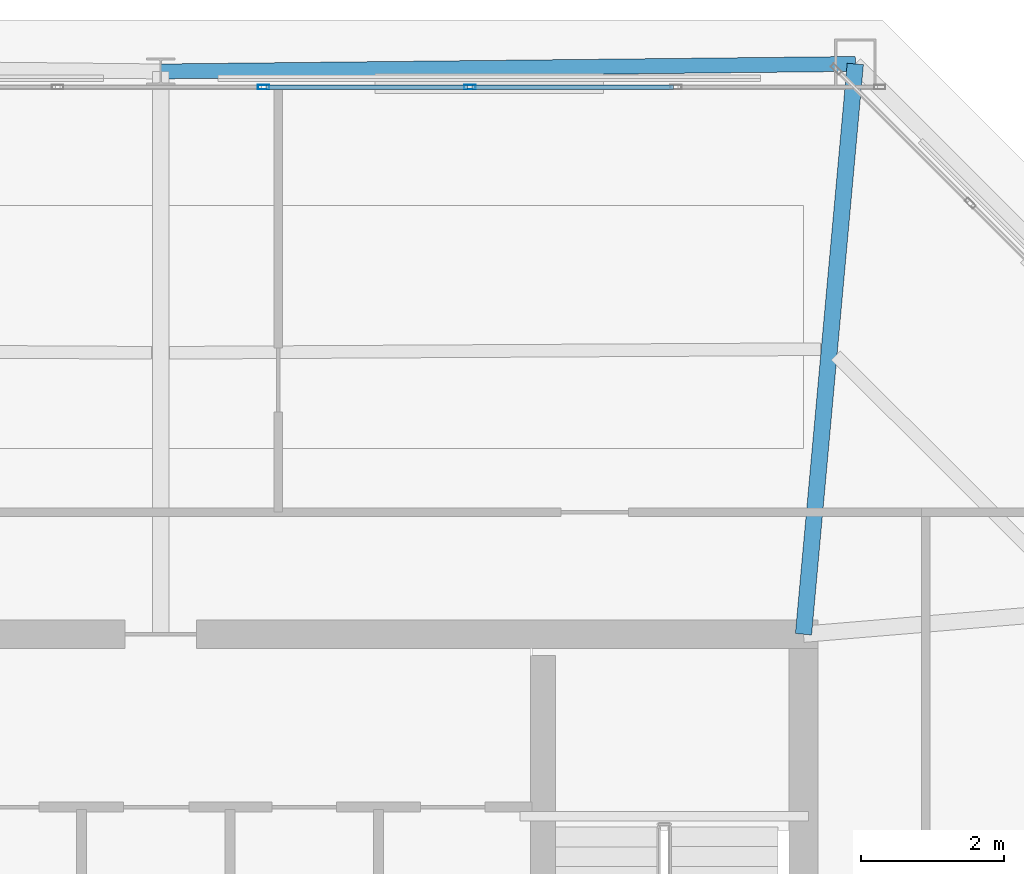
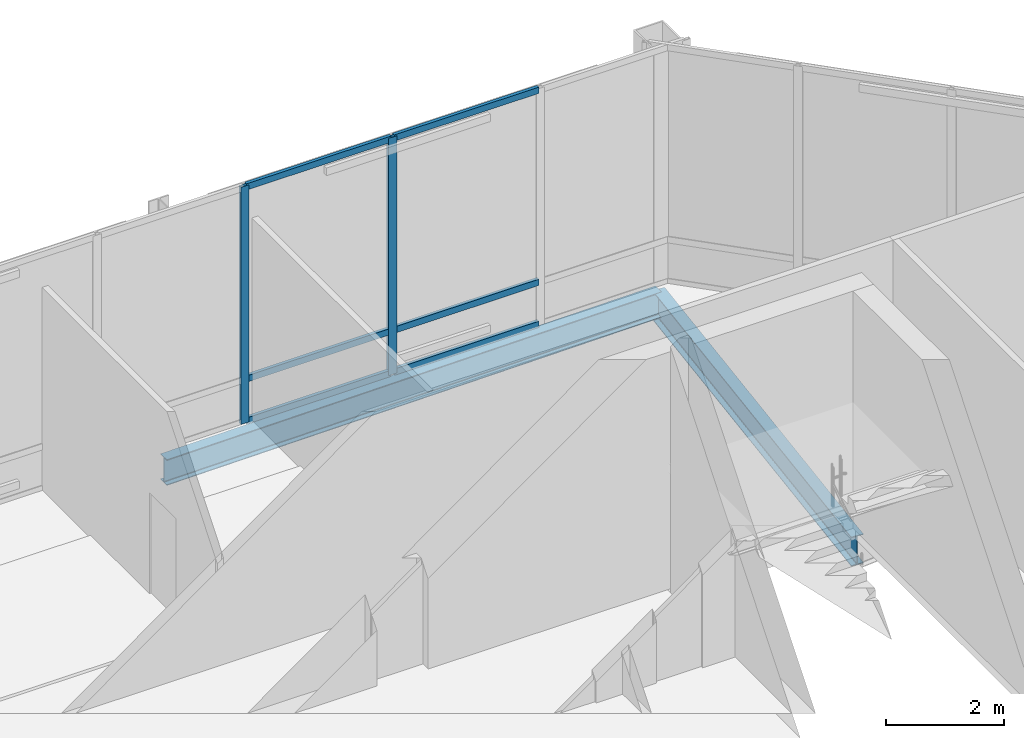
# One storey, part 13 of 21: 8 members, 2 beams, 1 element without a shape of its own.
"""IFC4 building model written with IfcOpenShell, lengths in metres."""

from ifc_helpers import new_model, si_unit, direction, frame, origin, origin_2d, place, context, subcontext, project, spatial, hollow_rectangle, i_section, extrude, material, layer, layer_set, material_profile, profile_set, type_object, element, aggregate, save


model = new_model("IFC4")

# Units and contexts
model_context = context("Model", 3, precision=1e-05, world=origin(), true_north=direction((0.0, 1.0)))
body_context = subcontext(model_context, "Body", "Model", "MODEL_VIEW")
ifc_project = project(units=[si_unit("LENGTHUNIT", "METRE"), si_unit("AREAUNIT", "SQUARE_METRE"), si_unit("VOLUMEUNIT", "CUBIC_METRE"), si_unit("PLANEANGLEUNIT", "RADIAN"), si_unit("MASSUNIT", "GRAM", prefix="KILO")], contexts=[model_context])

# Site, building, storey
site_placement = place(None, origin())
site = spatial("IfcSite", under=ifc_project, at=site_placement, CompositionType="ELEMENT")
building_placement = place(site_placement, origin())
building = spatial("IfcBuilding", under=site, at=building_placement, Name="Caelvoria Tower", CompositionType="ELEMENT")
storey_placement = place(building_placement, frame((0.0, 0.0, 279.0)))
storey = spatial("IfcBuildingStorey", under=building, at=storey_placement, Name="L74", CompositionType="ELEMENT", Elevation=279.0)

# Curtain wall, members
ifc_material_1 = material(Name="Anodised Bronze Aluminium and Low-E Glass", Category="aluminium")
ifc_layer = layer(ifc_material_1, 0.205078125, Name="Anodised Bronze Aluminium and Low-E Glass")
ifc_layer_set = layer_set([ifc_layer], Name="CW System 5 Observation Panorama Low-Iron Facade - Anodised Bronze Aluminium and Low-E Glass")
curtain_wall_type = type_object("IfcCurtainWallType", Name="CW System 5 Observation Panorama Low-Iron Facade", PredefinedType="NOTDEFINED", material=ifc_layer_set)
curtain_wall_placement = place(storey_placement, origin())
curtain_wall = element("IfcCurtainWall", 1, at=curtain_wall_placement, inside=storey, type_object=curtain_wall_type, Name="CW-05 Curtain Wall L74-E4", PredefinedType="NOTDEFINED")
ifc_material_2 = material(Name="Anodised Bronze Architectural Aluminium", Category="aluminium")
ifc_material_profile_1 = material_profile(ifc_material_2, hollow_rectangle(XDim=0.06494140625, YDim=0.159912109375, WallThickness=0.00390625, at=origin_2d()), Name="Anodised Bronze Architectural Aluminium")
ifc_profile_set_1 = profile_set([ifc_material_profile_1], Name="CW_MULL_65X160 - Anodised Bronze Architectural Aluminium")
member_type_1 = type_object("IfcMemberType", Name="Curtain Wall Mullion 65x160 Bronze Aluminium", PredefinedType="MULLION", material=ifc_profile_set_1)
member_1_placement = place(storey_placement, frame((50.32861328125, 47.659912109375, 0.0), z_axis=(0.0, 0.0, 1.0), x_axis=(0.0, -1.0, 0.0)))
member_1 = element("IfcMember", 2, at=member_1_placement, type_object=member_type_1, Name="CW-05 mullion 3", PredefinedType="MULLION", context=body_context, shape_type="SweptSolid", body=[
    extrude(hollow_rectangle(XDim=0.06494140625, YDim=0.159912109375, WallThickness=0.00390625, at=origin_2d()), origin(), (0.0, 0.0, 1.0), 4.89990234375),
])
member_2_placement = place(storey_placement, frame((47.44287109375, 47.659912109375, 0.0), z_axis=(0.0, 0.0, 1.0), x_axis=(0.0, -1.0, 0.0)))
member_2 = element("IfcMember", 3, at=member_2_placement, type_object=member_type_1, Name="CW-05 mullion 4", PredefinedType="MULLION", context=body_context, shape_type="SweptSolid", body=[
    extrude(hollow_rectangle(XDim=0.06494140625, YDim=0.159912109375, WallThickness=0.00390625, at=origin_2d()), origin(), (0.0, 0.0, 1.0), 4.89990234375),
])
ifc_material_profile_2 = material_profile(ifc_material_2, hollow_rectangle(XDim=0.06494140625, YDim=0.1298828125, WallThickness=0.00341796875, at=origin_2d()), Name="Anodised Bronze Architectural Aluminium")
ifc_profile_set_2 = profile_set([ifc_material_profile_2], Name="CW_TRAN_65X130 - Anodised Bronze Architectural Aluminium")
member_type_2 = type_object("IfcMemberType", Name="Curtain Wall Transom 65x130 Bronze Aluminium", PredefinedType="USERDEFINED", material=ifc_profile_set_2)
member_3_placement = place(storey_placement, frame((53.181884765625, 47.659912109375, 0.032470703125), z_axis=(-1.0, 0.0, 0.0), x_axis=(0.0, -1.0, 0.0)))
member_3 = element("IfcMember", 4, at=member_3_placement, type_object=member_type_2, Name="CW-05 transom 2.1", ObjectType="TRANSOM", PredefinedType="USERDEFINED", context=body_context, shape_type="SweptSolid", body=[
    extrude(hollow_rectangle(XDim=0.06494140625, YDim=0.1298828125, WallThickness=0.00341796875, at=origin_2d()), origin(), (0.0, 0.0, 1.0), 2.82080078125),
])
member_4_placement = place(storey_placement, frame((53.181884765625, 47.659912109375, 0.89990234375), z_axis=(-1.0, 0.0, 0.0), x_axis=(0.0, -1.0, 0.0)))
member_4 = element("IfcMember", 5, at=member_4_placement, type_object=member_type_2, Name="CW-05 transom 2.2", ObjectType="TRANSOM", PredefinedType="USERDEFINED", context=body_context, shape_type="SweptSolid", body=[
    extrude(hollow_rectangle(XDim=0.06494140625, YDim=0.1298828125, WallThickness=0.00341796875, at=origin_2d()), origin(), (0.0, 0.0, 1.0), 2.82080078125),
])
member_5_placement = place(storey_placement, frame((53.181884765625, 47.659912109375, 4.867431640625), z_axis=(-1.0, 0.0, 0.0), x_axis=(0.0, -1.0, 0.0)))
member_5 = element("IfcMember", 6, at=member_5_placement, type_object=member_type_2, Name="CW-05 transom 2.3", ObjectType="TRANSOM", PredefinedType="USERDEFINED", context=body_context, shape_type="SweptSolid", body=[
    extrude(hollow_rectangle(XDim=0.06494140625, YDim=0.1298828125, WallThickness=0.00341796875, at=origin_2d()), origin(), (0.0, 0.0, 1.0), 2.82080078125),
])
member_6_placement = place(storey_placement, frame((50.296142578125, 47.659912109375, 0.032470703125), z_axis=(-1.0, 0.0, 0.0), x_axis=(0.0, -1.0, 0.0)))
member_6 = element("IfcMember", 7, at=member_6_placement, type_object=member_type_2, Name="CW-05 transom 3.1", ObjectType="TRANSOM", PredefinedType="USERDEFINED", context=body_context, shape_type="SweptSolid", body=[
    extrude(hollow_rectangle(XDim=0.06494140625, YDim=0.1298828125, WallThickness=0.00341796875, at=origin_2d()), origin(), (0.0, 0.0, 1.0), 2.82080078125),
])
member_7_placement = place(storey_placement, frame((50.296142578125, 47.659912109375, 0.89990234375), z_axis=(-1.0, 0.0, 0.0), x_axis=(0.0, -1.0, 0.0)))
member_7 = element("IfcMember", 8, at=member_7_placement, type_object=member_type_2, Name="CW-05 transom 3.2", ObjectType="TRANSOM", PredefinedType="USERDEFINED", context=body_context, shape_type="SweptSolid", body=[
    extrude(hollow_rectangle(XDim=0.06494140625, YDim=0.1298828125, WallThickness=0.00341796875, at=origin_2d()), origin(), (0.0, 0.0, 1.0), 2.82080078125),
])
member_8_placement = place(storey_placement, frame((50.296142578125, 47.659912109375, 4.867431640625), z_axis=(-1.0, 0.0, 0.0), x_axis=(0.0, -1.0, 0.0)))
member_8 = element("IfcMember", 9, at=member_8_placement, type_object=member_type_2, Name="CW-05 transom 3.3", ObjectType="TRANSOM", PredefinedType="USERDEFINED", context=body_context, shape_type="SweptSolid", body=[
    extrude(hollow_rectangle(XDim=0.06494140625, YDim=0.1298828125, WallThickness=0.00341796875, at=origin_2d()), origin(), (0.0, 0.0, 1.0), 2.82080078125),
])
aggregate(curtain_wall, [member_1, member_2, member_3, member_4, member_5, member_6, member_7, member_8])

# Beams
ifc_material_3 = material(Name="Structural Steel ASTM A992 Gr.50", Category="steel")
ifc_material_profile_3 = material_profile(ifc_material_3, i_section(OverallWidth=0.22802734375, OverallDepth=0.60302734375, WebThickness=0.010498046875, FlangeThickness=0.014892578125, FilletRadius=0.01806640625, at=origin_2d()), Name="Structural Steel ASTM A992 Gr.50")
ifc_profile_set_3 = profile_set([ifc_material_profile_3], Name="W610X101 - Structural Steel ASTM A992 Gr.50")
beam_type_1 = type_object("IfcBeamType", Name="Primary Floor Girder W610X101", PredefinedType="BEAM", material=ifc_profile_set_3)
beam_1_placement = place(storey_placement, frame((55.0, 40.0, -0.6416015625), z_axis=(0.090527509595, 0.995893955201, 0.0), x_axis=(-0.995893955201, 0.090527509595, 0.0)))
element("IfcBeam", 10, at=beam_1_placement, inside=storey, type_object=beam_type_1, Name="Primary Floor Girder L74-06", PredefinedType="BEAM", context=body_context, shape_type="SweptSolid", body=[
    extrude(i_section(OverallWidth=0.22802734375, OverallDepth=0.60302734375, WebThickness=0.010498046875, FlangeThickness=0.014892578125, FilletRadius=0.01806640625, at=origin_2d()), origin(), (0.0, 0.0, 1.0), 8.017822265625),
])
ifc_material_profile_4 = material_profile(ifc_material_3, i_section(OverallWidth=0.208984375, OverallDepth=0.532958984375, WebThickness=0.01025390625, FlangeThickness=0.015625, FilletRadius=0.01611328125, at=origin_2d()), Name="Structural Steel ASTM A992 Gr.50")
ifc_profile_set_4 = profile_set([ifc_material_profile_4], Name="W530X92 - Structural Steel ASTM A992 Gr.50")
beam_type_2 = type_object("IfcBeamType", Name="Upper Zone Spandrel W530X92", PredefinedType="BEAM", material=ifc_profile_set_4)
beam_2_placement = place(storey_placement, frame((55.725830078125, 47.98486328125, -0.6064453125), z_axis=(-0.999941750029, -0.010793356742, 0.0), x_axis=(0.010793356742, -0.999941750029, 0.0)))
element("IfcBeam", 11, at=beam_2_placement, inside=storey, type_object=beam_type_2, Name="Perimeter Spandrel Girder L74-06", PredefinedType="BEAM", context=body_context, shape_type="SweptSolid", body=[
    extrude(i_section(OverallWidth=0.208984375, OverallDepth=0.532958984375, WebThickness=0.01025390625, FlangeThickness=0.015625, FilletRadius=0.01611328125, at=origin_2d()), origin(), (0.0, 0.0, 1.0), 9.726318359375),
])

save(model, "model.ifc")
